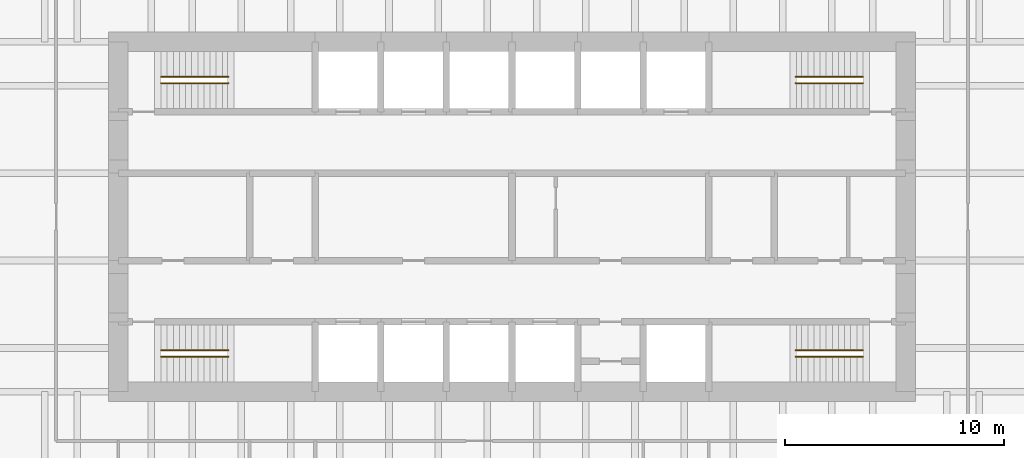
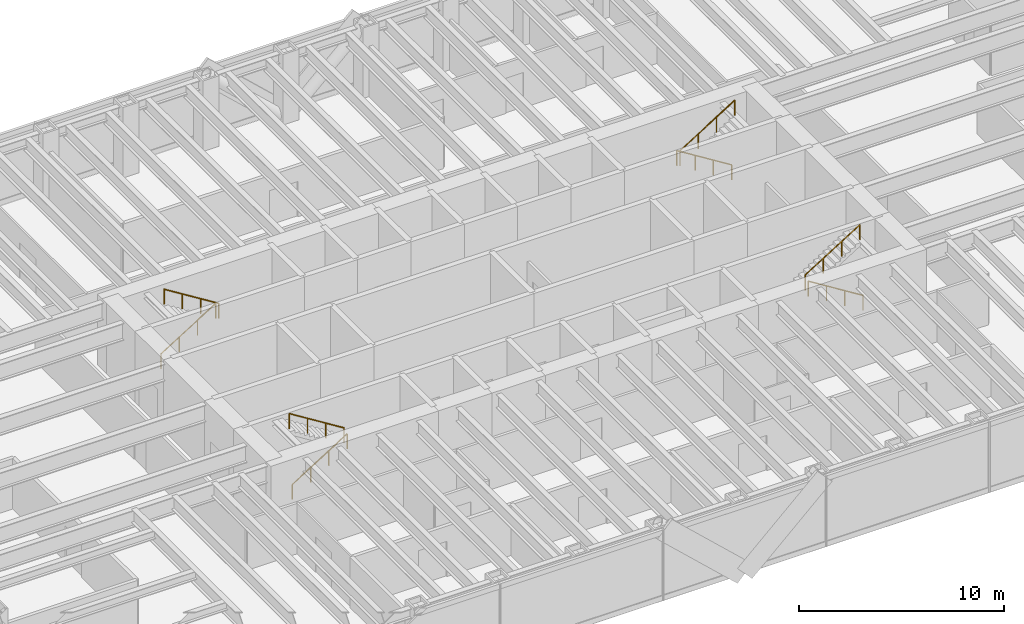
# One storey, part 15 of 15: 8 railings.
"""IFC4 building model written with IfcOpenShell, lengths in metres."""

from ifc_helpers import new_model, si_unit, direction, frame, origin, origin_2d, place, context, subcontext, project, spatial, circle, extrude, material, type_object, element, save


model = new_model("IFC4")

# Units and contexts
model_context = context("Model", 3, precision=1e-05, world=origin(), true_north=direction((0.0, 1.0)))
body_context = subcontext(model_context, "Body", "Model", "MODEL_VIEW")
ifc_project = project(units=[si_unit("LENGTHUNIT", "METRE"), si_unit("AREAUNIT", "SQUARE_METRE"), si_unit("VOLUMEUNIT", "CUBIC_METRE"), si_unit("PLANEANGLEUNIT", "RADIAN"), si_unit("MASSUNIT", "GRAM", prefix="KILO")], contexts=[model_context])

# Site, building, storey
site_placement = place(None, origin())
site = spatial("IfcSite", under=ifc_project, at=site_placement, CompositionType="ELEMENT")
building_placement = place(site_placement, origin())
building = spatial("IfcBuilding", under=site, at=building_placement, Name="Rheinbord Bourse Tower", CompositionType="ELEMENT")
storey_placement = place(building_placement, frame((0.0, 0.0, 155.10009765625)))
storey = spatial("IfcBuildingStorey", under=building, at=storey_placement, Name="L34", CompositionType="ELEMENT", Elevation=155.10009765625)

# Railings
ifc_material = material(Name="Steel handrail", Category="steel")
railing_type = type_object("IfcRailingType", Name="HANDRAIL 900", PredefinedType="HANDRAIL", material=ifc_material)
railing_1_placement = place(storey_placement, frame((19.949951171875, 17.60009765625, 0.1748046875)))
element("IfcRailing", 1, at=railing_1_placement, inside=storey, type_object=railing_type, Name="Handrail", PredefinedType="HANDRAIL", context=body_context, shape_type="SweptSolid", body=[
    extrude(circle(Radius=0.02392578125, at=origin_2d()), frame((0.0, 0.0, 0.8759765625), z_axis=(0.847998304005, 0.0, 0.529998940003), x_axis=(0.0, 1.0, 0.0)), (0.0, 0.0, 1.0), 3.632080078125),
    extrude(circle(Radius=0.02099609375, at=origin_2d()), origin(), (0.0, 0.0, 1.0), 0.851806640625),
    extrude(circle(Radius=0.02099609375, at=origin_2d()), frame((1.026611328125, 0.0, 0.6416015625)), (0.0, 0.0, 1.0), 0.851806640625),
    extrude(circle(Radius=0.02099609375, at=origin_2d()), frame((2.053466796875, 0.0, 1.283447265625)), (0.0, 0.0, 1.0), 0.851806640625),
    extrude(circle(Radius=0.02099609375, at=origin_2d()), frame((3.080078125, 0.0, 1.925048828125)), (0.0, 0.0, 1.0), 0.851806640625),
])
railing_2_placement = place(storey_placement, frame((23.030029296875, 17.89990234375, 2.27490234375)))
element("IfcRailing", 2, at=railing_2_placement, inside=storey, type_object=railing_type, Name="Handrail", PredefinedType="HANDRAIL", context=body_context, shape_type="SweptSolid", body=[
    extrude(circle(Radius=0.02392578125, at=origin_2d()), frame((0.0, 0.0, 0.8759765625), z_axis=(-0.847998304005, 0.0, 0.529998940003), x_axis=(0.0, -1.0, 0.0)), (0.0, 0.0, 1.0), 3.632080078125),
    extrude(circle(Radius=0.02099609375, at=origin_2d()), origin(), (0.0, 0.0, 1.0), 0.851806640625),
    extrude(circle(Radius=0.02099609375, at=origin_2d()), frame((-1.026611328125, 0.0, 0.6416015625)), (0.0, 0.0, 1.0), 0.851806640625),
    extrude(circle(Radius=0.02099609375, at=origin_2d()), frame((-2.053466796875, 0.0, 1.283447265625)), (0.0, 0.0, 1.0), 0.851806640625),
    extrude(circle(Radius=0.02099609375, at=origin_2d()), frame((-3.080078125, 0.0, 1.925048828125)), (0.0, 0.0, 1.0), 0.851806640625),
])
railing_3_placement = place(storey_placement, frame((19.949951171875, 30.39990234375, 0.1748046875)))
element("IfcRailing", 3, at=railing_3_placement, inside=storey, type_object=railing_type, Name="Handrail", PredefinedType="HANDRAIL", context=body_context, shape_type="SweptSolid", body=[
    extrude(circle(Radius=0.02392578125, at=origin_2d()), frame((0.0, 0.0, 0.8759765625), z_axis=(0.847998304005, 0.0, 0.529998940003), x_axis=(0.0, 1.0, 0.0)), (0.0, 0.0, 1.0), 3.632080078125),
    extrude(circle(Radius=0.02099609375, at=origin_2d()), origin(), (0.0, 0.0, 1.0), 0.851806640625),
    extrude(circle(Radius=0.02099609375, at=origin_2d()), frame((1.026611328125, 0.0, 0.6416015625)), (0.0, 0.0, 1.0), 0.851806640625),
    extrude(circle(Radius=0.02099609375, at=origin_2d()), frame((2.053466796875, 0.0, 1.283447265625)), (0.0, 0.0, 1.0), 0.851806640625),
    extrude(circle(Radius=0.02099609375, at=origin_2d()), frame((3.080078125, 0.0, 1.925048828125)), (0.0, 0.0, 1.0), 0.851806640625),
])
for number, where, name in (
    (4, (23.030029296875, 30.10009765625, 2.27490234375), "Handrail"),
    (5, (52.050048828125, 17.60009765625, 0.1748046875), "Handrail"),
):
    element("IfcRailing", number, at=place(storey_placement, frame(where)), inside=storey, type_object=railing_type, Name=name, PredefinedType="HANDRAIL", context=body_context, shape_type="SweptSolid", body=[
        extrude(circle(Radius=0.02392578125, at=origin_2d()), frame((0.0, 0.0, 0.8759765625), z_axis=(-0.847998304005, 0.0, 0.529998940003), x_axis=(0.0, -1.0, 0.0)), (0.0, 0.0, 1.0), 3.632080078125),
        extrude(circle(Radius=0.02099609375, at=origin_2d()), origin(), (0.0, 0.0, 1.0), 0.851806640625),
        extrude(circle(Radius=0.02099609375, at=origin_2d()), frame((-1.026611328125, 0.0, 0.6416015625)), (0.0, 0.0, 1.0), 0.851806640625),
        extrude(circle(Radius=0.02099609375, at=origin_2d()), frame((-2.053466796875, 0.0, 1.283447265625)), (0.0, 0.0, 1.0), 0.851806640625),
        extrude(circle(Radius=0.02099609375, at=origin_2d()), frame((-3.080078125, 0.0, 1.925048828125)), (0.0, 0.0, 1.0), 0.851806640625),
    ])
railing_4_placement = place(storey_placement, frame((48.969970703125, 17.89990234375, 2.27490234375)))
element("IfcRailing", 6, at=railing_4_placement, inside=storey, type_object=railing_type, Name="Handrail", PredefinedType="HANDRAIL", context=body_context, shape_type="SweptSolid", body=[
    extrude(circle(Radius=0.02392578125, at=origin_2d()), frame((0.0, 0.0, 0.8759765625), z_axis=(0.847998304005, 0.0, 0.529998940003), x_axis=(0.0, 1.0, 0.0)), (0.0, 0.0, 1.0), 3.632080078125),
    extrude(circle(Radius=0.02099609375, at=origin_2d()), origin(), (0.0, 0.0, 1.0), 0.851806640625),
    extrude(circle(Radius=0.02099609375, at=origin_2d()), frame((1.026611328125, 0.0, 0.6416015625)), (0.0, 0.0, 1.0), 0.851806640625),
    extrude(circle(Radius=0.02099609375, at=origin_2d()), frame((2.053466796875, 0.0, 1.283447265625)), (0.0, 0.0, 1.0), 0.851806640625),
    extrude(circle(Radius=0.02099609375, at=origin_2d()), frame((3.080078125, 0.0, 1.925048828125)), (0.0, 0.0, 1.0), 0.851806640625),
])
railing_5_placement = place(storey_placement, frame((52.050048828125, 30.39990234375, 0.1748046875)))
element("IfcRailing", 7, at=railing_5_placement, inside=storey, type_object=railing_type, Name="Handrail", PredefinedType="HANDRAIL", context=body_context, shape_type="SweptSolid", body=[
    extrude(circle(Radius=0.02392578125, at=origin_2d()), frame((0.0, 0.0, 0.8759765625), z_axis=(-0.847998304005, 0.0, 0.529998940003), x_axis=(0.0, -1.0, 0.0)), (0.0, 0.0, 1.0), 3.632080078125),
    extrude(circle(Radius=0.02099609375, at=origin_2d()), origin(), (0.0, 0.0, 1.0), 0.851806640625),
    extrude(circle(Radius=0.02099609375, at=origin_2d()), frame((-1.026611328125, 0.0, 0.6416015625)), (0.0, 0.0, 1.0), 0.851806640625),
    extrude(circle(Radius=0.02099609375, at=origin_2d()), frame((-2.053466796875, 0.0, 1.283447265625)), (0.0, 0.0, 1.0), 0.851806640625),
    extrude(circle(Radius=0.02099609375, at=origin_2d()), frame((-3.080078125, 0.0, 1.925048828125)), (0.0, 0.0, 1.0), 0.851806640625),
])
railing_6_placement = place(storey_placement, frame((48.969970703125, 30.10009765625, 2.27490234375)))
element("IfcRailing", 8, at=railing_6_placement, inside=storey, type_object=railing_type, Name="Handrail", PredefinedType="HANDRAIL", context=body_context, shape_type="SweptSolid", body=[
    extrude(circle(Radius=0.02392578125, at=origin_2d()), frame((0.0, 0.0, 0.8759765625), z_axis=(0.847998304005, 0.0, 0.529998940003), x_axis=(0.0, 1.0, 0.0)), (0.0, 0.0, 1.0), 3.632080078125),
    extrude(circle(Radius=0.02099609375, at=origin_2d()), origin(), (0.0, 0.0, 1.0), 0.851806640625),
    extrude(circle(Radius=0.02099609375, at=origin_2d()), frame((1.026611328125, 0.0, 0.6416015625)), (0.0, 0.0, 1.0), 0.851806640625),
    extrude(circle(Radius=0.02099609375, at=origin_2d()), frame((2.053466796875, 0.0, 1.283447265625)), (0.0, 0.0, 1.0), 0.851806640625),
    extrude(circle(Radius=0.02099609375, at=origin_2d()), frame((3.080078125, 0.0, 1.925048828125)), (0.0, 0.0, 1.0), 0.851806640625),
])

save(model, "model.ifc")
